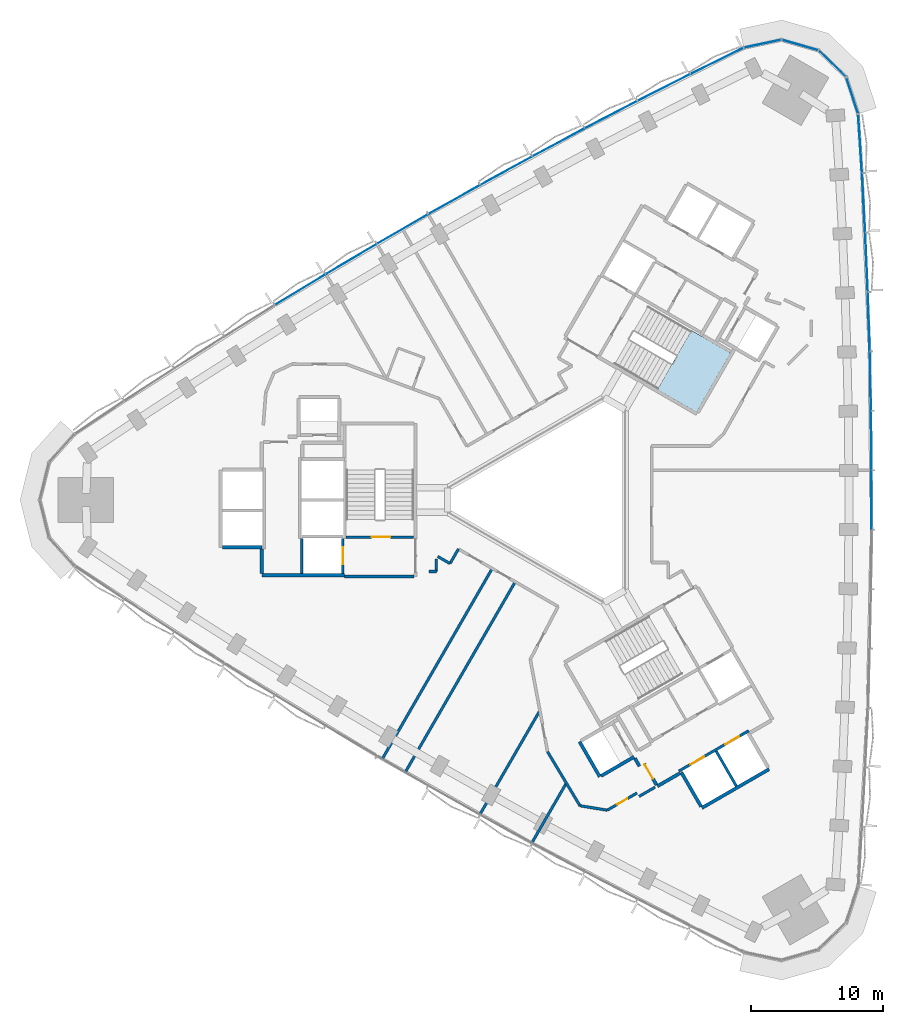
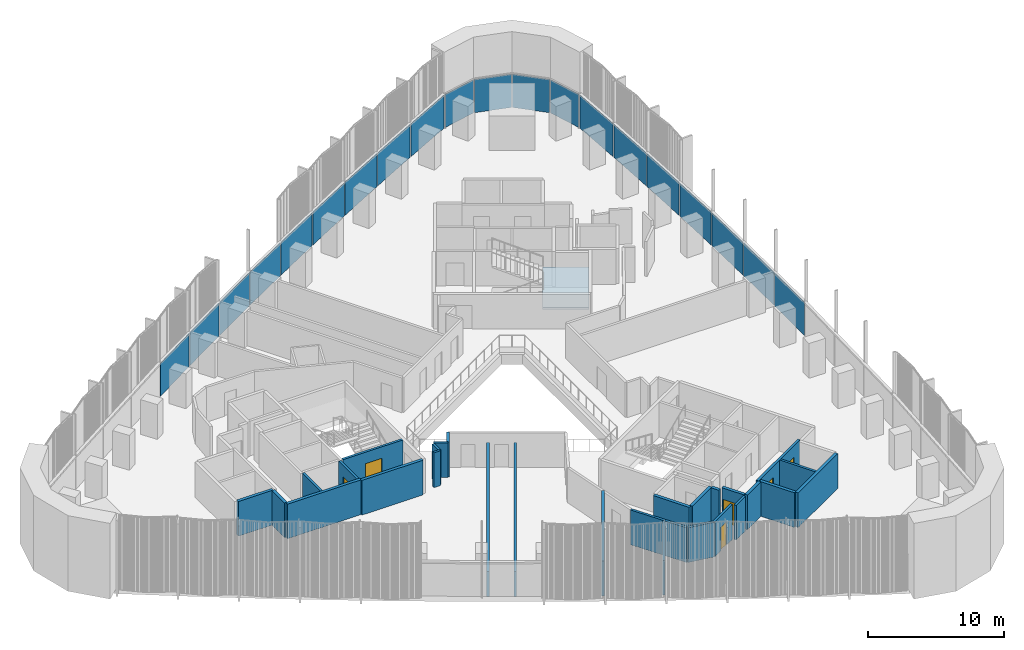
# One storey, part 7 of 15: 28 walls, 20 plates, 6 doors, 1 slab, 6 openings, 3 elements without a shape of their own.
"""IFC4 building model written with IfcOpenShell, lengths in metres."""

from ifc_helpers import new_model, si_unit, direction, frame, frame_2d, origin, origin_2d, place, context, subcontext, project, spatial, polyline, rectangle, outline, extrude, material, layer, layer_set, type_object, element, fill, aggregate, save


model = new_model("IFC4")

# Units and contexts
model_context = context("Model", 3, precision=1e-05, world=origin(), true_north=direction((0.0, 1.0)))
body_context = subcontext(model_context, "Body", "Model", "MODEL_VIEW")
ifc_project = project(units=[si_unit("LENGTHUNIT", "METRE"), si_unit("AREAUNIT", "SQUARE_METRE"), si_unit("VOLUMEUNIT", "CUBIC_METRE"), si_unit("PLANEANGLEUNIT", "RADIAN"), si_unit("MASSUNIT", "GRAM", prefix="KILO")], contexts=[model_context])

# Site, building, storey
site_placement = place(None, origin())
site = spatial("IfcSite", under=ifc_project, at=site_placement, CompositionType="ELEMENT")
building_placement = place(site_placement, origin())
building = spatial("IfcBuilding", under=site, at=building_placement, Name="Tamra Quay Hotel Tower", CompositionType="ELEMENT")
storey_placement = place(building_placement, frame((0.0, 0.0, 67.39990234375)))
storey = spatial("IfcBuildingStorey", under=building, at=storey_placement, Name="L15", CompositionType="ELEMENT", Elevation=67.39990234375)

# Stair, slab
ifc_material_1 = material(Name="Exit stair 2200 24 risers 150.0 going 342")
stair_type = type_object("IfcStairType", Name="Exit stair 2200 24 risers 150.0 going 342", PredefinedType="HALF_TURN_STAIR", material=ifc_material_1)
stair_placement = place(storey_placement, origin())
stair = element("IfcStair", 1, at=stair_placement, inside=storey, type_object=stair_type, Name="L15 Exit stair ST1", PredefinedType="HALF_TURN_STAIR")
ifc_material_2 = material(Name="Concrete M70", Category="concrete")
ifc_layer_1 = layer(ifc_material_2, 0.175048828125)
ifc_layer_set_1 = layer_set([ifc_layer_1], Name="Concrete M70 stair landing 180")
slab_type = type_object("IfcSlabType", Name="Concrete M70 stair landing 180", PredefinedType="LANDING", material=ifc_layer_set_1)
slab_placement = place(storey_placement, frame((0.0, 0.0, 1.625)))
slab = element("IfcSlab", 2, at=slab_placement, type_object=slab_type, Name="ST1 landing 1", PredefinedType="LANDING", context=body_context, shape_type="SweptSolid", body=[
    extrude(outline(polyline([(7.425048828125, 8.336669921875), (10.385009765625, 6.627685546875), (12.964599609375, 11.095458984375), (10.00439453125, 12.804443359375), (7.425048828125, 8.336669921875)])), origin(), (0.0, 0.0, 1.0), 0.175048828125),
])
aggregate(stair, [slab])

# Curtain wall, plates
ifc_material_3 = material(Name="Aluminium 6063 anodised dark grey", Category="aluminium")
curtain_wall_type_1 = type_object("IfcCurtainWallType", Name="CW1 CURTAIN WALL", PredefinedType="NOTDEFINED", material=ifc_material_3)
curtain_wall_1_placement = place(storey_placement, origin())
curtain_wall_1 = element("IfcCurtainWall", 3, at=curtain_wall_1_placement, inside=storey, type_object=curtain_wall_type_1, Name="CW1 east face L15", PredefinedType="NOTDEFINED")
ifc_material_4 = material(Name="Glass clear laminated low-iron", Category="glass")
ifc_layer_2 = layer(ifc_material_4, 0.035888671875)
ifc_layer_set_2 = layer_set([ifc_layer_2], Name="GLASS PANEL CW1 Z1")
plate_type_1 = type_object("IfcPlateType", Name="GLASS PANEL CW1 Z1", PredefinedType="CURTAIN_PANEL", material=ifc_layer_set_2)
plate_1_placement = place(storey_placement, frame((23.618408203125, 0.0, 0.0), z_axis=(0.0, 0.0, 1.0), x_axis=(0.0, 1.0, 0.0)))
plate_1 = element("IfcPlate", 4, at=plate_1_placement, type_object=plate_type_1, Name="CW1 glass L15.E.7", PredefinedType="CURTAIN_PANEL", context=body_context, shape_type="SweptSolid", body=[
    extrude(rectangle(XDim=4.388671875, YDim=0.035888671875, at=origin_2d()), origin(), (0.0, 0.0, 1.0), 2.985107421875),
])
plate_2_placement = place(storey_placement, frame((23.593994140625, 4.488525390625, 0.0), z_axis=(0.0, 0.0, 1.0), x_axis=(-0.010836354168, 0.99994128499, 0.0)))
plate_2 = element("IfcPlate", 5, at=plate_2_placement, type_object=plate_type_1, Name="CW1 glass L15.E.8", PredefinedType="CURTAIN_PANEL", context=body_context, shape_type="SweptSolid", body=[
    extrude(rectangle(XDim=4.388671875, YDim=0.035888671875, at=origin_2d()), origin(), (0.0, 0.0, 1.0), 2.985107421875),
])
plate_3_placement = place(storey_placement, frame((23.52099609375, 8.97705078125, 0.0), z_axis=(0.0, 0.0, 1.0), x_axis=(-0.021657653853, 0.999765445507, 0.0)))
plate_3 = element("IfcPlate", 6, at=plate_3_placement, type_object=plate_type_1, Name="CW1 glass L15.E.9", PredefinedType="CURTAIN_PANEL", context=body_context, shape_type="SweptSolid", body=[
    extrude(rectangle(XDim=4.3896484375, YDim=0.035888671875, at=origin_2d()), origin(), (0.0, 0.0, 1.0), 2.985107421875),
])
plate_4_placement = place(storey_placement, frame((23.399658203125, 13.464599609375, 0.0), z_axis=(0.0, 0.0, 1.0), x_axis=(-0.032474671117, 0.999472558771, 0.0)))
plate_4 = element("IfcPlate", 7, at=plate_4_placement, type_object=plate_type_1, Name="CW1 glass L15.E.10", PredefinedType="CURTAIN_PANEL", context=body_context, shape_type="SweptSolid", body=[
    extrude(rectangle(XDim=4.388671875, YDim=0.035888671875, at=origin_2d()), origin(), (0.0, 0.0, 1.0), 2.985107421875),
])
plate_5_placement = place(storey_placement, frame((23.2294921875, 17.949951171875, 0.0), z_axis=(0.0, 0.0, 1.0), x_axis=(-0.04328585604, 0.999062728094, 0.0)))
plate_5 = element("IfcPlate", 8, at=plate_5_placement, type_object=plate_type_1, Name="CW1 glass L15.E.11", PredefinedType="CURTAIN_PANEL", context=body_context, shape_type="SweptSolid", body=[
    extrude(rectangle(XDim=4.388671875, YDim=0.035888671875, at=origin_2d()), origin(), (0.0, 0.0, 1.0), 2.985107421875),
])
plate_6_placement = place(storey_placement, frame((23.010986328125, 22.433837890625, 0.0), z_axis=(0.0, 0.0, 1.0), x_axis=(-0.054062166947, 0.998537571704, 0.0)))
plate_6 = element("IfcPlate", 9, at=plate_6_placement, type_object=plate_type_1, Name="CW1 glass L15.E.12", PredefinedType="CURTAIN_PANEL", context=body_context, shape_type="SweptSolid", body=[
    extrude(rectangle(XDim=4.3896484375, YDim=0.035888671875, at=origin_2d()), origin(), (0.0, 0.0, 1.0), 2.985107421875),
])
plate_7_placement = place(storey_placement, frame((22.744140625, 26.914794921875, 0.0), z_axis=(0.0, 0.0, 1.0), x_axis=(-0.064813190551, 0.997897414733, 0.0)))
plate_7 = element("IfcPlate", 10, at=plate_7_placement, type_object=plate_type_1, Name="CW1 glass L15.E.13", PredefinedType="CURTAIN_PANEL", context=body_context, shape_type="SweptSolid", body=[
    extrude(rectangle(XDim=4.38818359375, YDim=0.035888671875, at=origin_2d()), origin(), (0.0, 0.0, 1.0), 2.985107421875),
])
plate_8_placement = place(storey_placement, frame((22.1484375, 30.5400390625, 0.0), z_axis=(0.0, 0.0, 1.0), x_axis=(-0.309040551826, 0.951048861693, 0.0)))
plate_8 = element("IfcPlate", 11, at=plate_8_placement, type_object=plate_type_1, Name="CW1 glass L15.E.14", PredefinedType="CURTAIN_PANEL", context=body_context, shape_type="SweptSolid", body=[
    extrude(rectangle(XDim=2.814697265625, YDim=0.035888671875, at=origin_2d()), origin(), (0.0, 0.0, 1.0), 2.985107421875),
])
plate_9_placement = place(storey_placement, frame((20.649658203125, 32.9384765625, 0.0), z_axis=(0.0, 0.0, 1.0), x_axis=(-0.719345535851, 0.694652431113, 0.0)))
plate_9 = element("IfcPlate", 12, at=plate_9_placement, type_object=plate_type_1, Name="CW1 glass L15.E.15", PredefinedType="CURTAIN_PANEL", context=body_context, shape_type="SweptSolid", body=[
    extrude(rectangle(XDim=2.814697265625, YDim=0.035888671875, at=origin_2d()), origin(), (0.0, 0.0, 1.0), 2.985107421875),
])
plate_10_placement = place(storey_placement, frame((18.20068359375, 34.352294921875, 0.0), z_axis=(0.0, 0.0, 1.0), x_axis=(-0.96125942007, 0.275645292589, 0.0)))
plate_10 = element("IfcPlate", 13, at=plate_10_placement, type_object=plate_type_1, Name="CW1 glass L15.E.16", PredefinedType="CURTAIN_PANEL", context=body_context, shape_type="SweptSolid", body=[
    extrude(rectangle(XDim=2.814697265625, YDim=0.035888671875, at=origin_2d()), origin(), (0.0, 0.0, 1.0), 2.985107421875),
])
plate_11_placement = place(storey_placement, frame((15.374267578125, 34.451171875, 0.0), z_axis=(0.0, 0.0, 1.0), x_axis=(-0.978152750379, -0.207887462165, 0.0)))
plate_11 = element("IfcPlate", 14, at=plate_11_placement, type_object=plate_type_1, Name="CW1 glass L15.E.17", PredefinedType="CURTAIN_PANEL", context=body_context, shape_type="SweptSolid", body=[
    extrude(rectangle(XDim=2.814697265625, YDim=0.035888671875, at=origin_2d()), origin(), (0.0, 0.0, 1.0), 2.985107421875),
])
aggregate(curtain_wall_1, [plate_1, plate_2, plate_3, plate_4, plate_5, plate_6, plate_7, plate_8, plate_9, plate_10, plate_11])

curtain_wall_type_2 = type_object("IfcCurtainWallType", Name="CW2 CURTAIN WALL", PredefinedType="NOTDEFINED", material=ifc_material_3)
curtain_wall_2_placement = place(storey_placement, origin())
curtain_wall_2 = element("IfcCurtainWall", 15, at=curtain_wall_2_placement, inside=storey, type_object=curtain_wall_type_2, Name="CW2 north-west face L15", PredefinedType="NOTDEFINED")
ifc_layer_3 = layer(ifc_material_4, 0.035888671875)
ifc_layer_set_3 = layer_set([ifc_layer_3], Name="GLASS PANEL CW2 Z1")
plate_type_2 = type_object("IfcPlateType", Name="GLASS PANEL CW2 Z1", PredefinedType="CURTAIN_PANEL", material=ifc_layer_set_3)
plate_12_placement = place(storey_placement, frame((11.936767578125, 33.154541015625, 0.0), z_axis=(0.0, 0.0, 1.0), x_axis=(-0.896611106805, -0.442818837849, 0.0)))
plate_12 = element("IfcPlate", 16, at=plate_12_placement, type_object=plate_type_2, Name="CW2 glass L15.NW.1", PredefinedType="CURTAIN_PANEL", context=body_context, shape_type="SweptSolid", body=[
    extrude(rectangle(XDim=4.38818359375, YDim=0.035888671875, at=origin_2d()), origin(), (0.0, 0.0, 1.0), 2.985107421875),
])
plate_13_placement = place(storey_placement, frame((7.9228515625, 31.14501953125, 0.0), z_axis=(0.0, 0.0, 1.0), x_axis=(-0.891789987202, -0.452449575893, 0.0)))
plate_13 = element("IfcPlate", 17, at=plate_13_placement, type_object=plate_type_2, Name="CW2 glass L15.NW.2", PredefinedType="CURTAIN_PANEL", context=body_context, shape_type="SweptSolid", body=[
    extrude(rectangle(XDim=4.3896484375, YDim=0.035888671875, at=origin_2d()), origin(), (0.0, 0.0, 1.0), 2.985107421875),
])
plate_14_placement = place(storey_placement, frame((3.930419921875, 29.09228515625, 0.0), z_axis=(0.0, 0.0, 1.0), x_axis=(-0.886856630524, -0.462044713092, 0.0)))
plate_14 = element("IfcPlate", 18, at=plate_14_placement, type_object=plate_type_2, Name="CW2 glass L15.NW.3", PredefinedType="CURTAIN_PANEL", context=body_context, shape_type="SweptSolid", body=[
    extrude(rectangle(XDim=4.388671875, YDim=0.035888671875, at=origin_2d()), origin(), (0.0, 0.0, 1.0), 2.985107421875),
])
plate_15_placement = place(storey_placement, frame((-0.0390625, 26.996826171875, 0.0), z_axis=(0.0, 0.0, 1.0), x_axis=(-0.88180596184, -0.471612389218, 0.0)))
plate_15 = element("IfcPlate", 19, at=plate_15_placement, type_object=plate_type_2, Name="CW2 glass L15.NW.4", PredefinedType="CURTAIN_PANEL", context=body_context, shape_type="SweptSolid", body=[
    extrude(rectangle(XDim=4.388671875, YDim=0.035888671875, at=origin_2d()), origin(), (0.0, 0.0, 1.0), 2.985107421875),
])
plate_16_placement = place(storey_placement, frame((-3.986083984375, 24.8583984375, 0.0), z_axis=(0.0, 0.0, 1.0), x_axis=(-0.876651100562, -0.48112664433, 0.0)))
plate_16 = element("IfcPlate", 20, at=plate_16_placement, type_object=plate_type_2, Name="CW2 glass L15.NW.5", PredefinedType="CURTAIN_PANEL", context=body_context, shape_type="SweptSolid", body=[
    extrude(rectangle(XDim=4.3896484375, YDim=0.035888671875, at=origin_2d()), origin(), (0.0, 0.0, 1.0), 2.985107421875),
])
plate_17_placement = place(storey_placement, frame((-7.90966796875, 22.67724609375, 0.0), z_axis=(0.0, 0.0, 1.0), x_axis=(-0.871392732178, -0.490586084502, 0.0)))
plate_17 = element("IfcPlate", 21, at=plate_17_placement, type_object=plate_type_2, Name="CW2 glass L15.NW.6", PredefinedType="CURTAIN_PANEL", context=body_context, shape_type="SweptSolid", body=[
    extrude(rectangle(XDim=4.388671875, YDim=0.035888671875, at=origin_2d()), origin(), (0.0, 0.0, 1.0), 2.985107421875),
])
plate_18_placement = place(storey_placement, frame((-11.80908203125, 20.4541015625, 0.0), z_axis=(0.0, 0.0, 1.0), x_axis=(-0.866025403784, -0.5, 0.0)))
plate_18 = element("IfcPlate", 22, at=plate_18_placement, type_object=plate_type_2, Name="CW2 glass L15.NW.7", PredefinedType="CURTAIN_PANEL", context=body_context, shape_type="SweptSolid", body=[
    extrude(rectangle(XDim=4.388671875, YDim=0.035888671875, at=origin_2d()), origin(), (0.0, 0.0, 1.0), 2.985107421875),
])
plate_19_placement = place(storey_placement, frame((-15.684326171875, 18.188720703125, 0.0), z_axis=(0.0, 0.0, 1.0), x_axis=(-0.860556378011, -0.509355200489, 0.0)))
plate_19 = element("IfcPlate", 23, at=plate_19_placement, type_object=plate_type_2, Name="CW2 glass L15.NW.8", PredefinedType="CURTAIN_PANEL", context=body_context, shape_type="SweptSolid", body=[
    extrude(rectangle(XDim=4.388671875, YDim=0.035888671875, at=origin_2d()), origin(), (0.0, 0.0, 1.0), 2.985107421875),
])
plate_20_placement = place(storey_placement, frame((-19.534912109375, 15.88134765625, 0.0), z_axis=(0.0, 0.0, 1.0), x_axis=(-0.854993446708, -0.518638801177, 0.0)))
plate_20 = element("IfcPlate", 24, at=plate_20_placement, type_object=plate_type_2, Name="CW2 glass L15.NW.9", PredefinedType="CURTAIN_PANEL", context=body_context, shape_type="SweptSolid", body=[
    extrude(rectangle(XDim=4.3896484375, YDim=0.035888671875, at=origin_2d()), origin(), (0.0, 0.0, 1.0), 2.985107421875),
])
aggregate(curtain_wall_2, [plate_12, plate_13, plate_14, plate_15, plate_16, plate_17, plate_18, plate_19, plate_20])

# Wall, opening, door
ifc_layer_4 = layer(ifc_material_2, 0.199951171875)
ifc_layer_set_4 = layer_set([ifc_layer_4], Name="Concrete M70 core wall 200")
wall_type_1 = type_object("IfcWallType", Name="Concrete M70 core wall 200", PredefinedType="SHEAR", material=ifc_layer_set_4)
wall_1_placement = place(storey_placement, frame((-10.96337890625, -2.800048828125, 0.0), z_axis=(0.0, 0.0, 1.0), x_axis=(-1.0, 0.0, 0.0)))
wall_1 = element("IfcWall", 25, at=wall_1_placement, inside=storey, type_object=wall_type_1, Name="CW2", PredefinedType="SHEAR", context=body_context, shape_type="SweptSolid", body=[
    extrude(rectangle(XDim=5.097900390625, YDim=0.199951171875, at=frame_2d((2.548828125, 0.0))), origin(), (0.0, 0.0, 1.0), 3.125),
])
opening_1_placement = place(wall_1_placement, frame((1.77392578125, 0.0, 0.0)))
opening_1 = element("IfcOpeningElement", 26, at=opening_1_placement, cuts=wall_1, Name="Opening FD2", PredefinedType="OPENING", context=body_context, shape_type="SweptSolid", body=[
    extrude(rectangle(XDim=1.39990234375, YDim=2.10009765625, at=frame_2d((0.699951171875, 1.050048828125))), frame((0.0, 0.10986328125, 0.0), z_axis=(0.0, -1.0, 0.0), x_axis=(1.0, 0.0, 0.0)), (0.0, 0.0, 1.0), 0.219970703125),
])
ifc_material_5 = material(Name="Core door FD2 1400x2100 LH")
door_type_1 = type_object("IfcDoorType", Name="Core door FD2 1400x2100 LH", OperationType="NOTDEFINED", PredefinedType="DOOR", material=ifc_material_5)
door_1_placement = place(opening_1_placement, origin())
door_1 = element("IfcDoor", 27, at=door_1_placement, inside=storey, type_object=door_type_1, Name="FD2", OperationType="SINGLE_SWING_LEFT", OverallHeight=2.10009765625, OverallWidth=1.39990234375, PredefinedType="DOOR", context=body_context, shape_type="SweptSolid", body=[
    extrude(rectangle(XDim=1.39990234375, YDim=2.10009765625, at=frame_2d((0.699951171875, 1.050048828125))), frame((0.0, 0.02490234375, 0.0), z_axis=(0.0, -1.0, 0.0), x_axis=(1.0, 0.0, 0.0)), (0.0, 0.0, 1.0), 0.050048828125),
])
fill(opening_1, door_1)

wall_2_placement = place(storey_placement, frame((-16.312255859375, -2.898193359375, 0.0), z_axis=(0.0, 0.0, 1.0), x_axis=(0.0, -1.0, 0.0)))
wall_2 = element("IfcWall", 28, at=wall_2_placement, inside=storey, type_object=wall_type_1, Name="CW2", PredefinedType="SHEAR", context=body_context, shape_type="SweptSolid", body=[
    extrude(rectangle(XDim=2.65087890625, YDim=0.199951171875, at=frame_2d((1.325439453125, 0.0))), origin(), (0.0, 0.0, 1.0), 3.125),
])
opening_2_placement = place(wall_2_placement, frame((0.65185546875, 0.0, 0.0)))
opening_2 = element("IfcOpeningElement", 29, at=opening_2_placement, cuts=wall_2, Name="Opening LD", PredefinedType="OPENING", context=body_context, shape_type="SweptSolid", body=[
    extrude(rectangle(XDim=1.300048828125, YDim=2.10009765625, at=frame_2d((0.64990234375, 1.050048828125))), frame((0.0, 0.10986328125, 0.0), z_axis=(0.0, -1.0, 0.0), x_axis=(1.0, 0.0, 0.0)), (0.0, 0.0, 1.0), 0.219970703125),
])
ifc_material_6 = material(Name="Landing door LD 1300 sliding to left")
door_type_2 = type_object("IfcDoorType", Name="Landing door LD 1300 sliding to left", OperationType="NOTDEFINED", PredefinedType="DOOR", material=ifc_material_6)
door_2_placement = place(opening_2_placement, origin())
door_2 = element("IfcDoor", 30, at=door_2_placement, inside=storey, type_object=door_type_2, Name="LD", OperationType="SLIDING_TO_LEFT", OverallHeight=2.10009765625, OverallWidth=1.300048828125, PredefinedType="DOOR", context=body_context, shape_type="SweptSolid", body=[
    extrude(rectangle(XDim=1.300048828125, YDim=2.10009765625, at=frame_2d((0.64990234375, 1.050048828125))), frame((0.0, 0.02490234375, 0.0), z_axis=(0.0, -1.0, 0.0), x_axis=(1.0, 0.0, 0.0)), (0.0, 0.0, 1.0), 0.050048828125),
])
fill(opening_2, door_2)

# Wall
wall_3_placement = place(storey_placement, frame((-19.412353515625, -5.549072265625, 0.0), z_axis=(0.0, 0.0, 1.0), x_axis=(0.0, 1.0, 0.0)))
element("IfcWall", 31, at=wall_3_placement, inside=storey, type_object=wall_type_1, Name="CW2", PredefinedType="SHEAR", context=body_context, shape_type="SweptSolid", body=[
    extrude(rectangle(XDim=2.65087890625, YDim=0.199951171875, at=frame_2d((1.325439453125, 0.0))), origin(), (0.0, 0.0, 1.0), 3.125),
])

# Wall, openings, doors
wall_4_placement = place(storey_placement, frame((9.052490234375, -20.479736328125, 0.0), z_axis=(0.0, 0.0, 1.0), x_axis=(0.866030299012, 0.499991521122, 0.0)))
wall_4 = element("IfcWall", 32, at=wall_4_placement, inside=storey, type_object=wall_type_1, Name="CW2", PredefinedType="SHEAR", context=body_context, shape_type="SweptSolid", body=[
    extrude(rectangle(XDim=6.10009765625, YDim=0.199951171875, at=frame_2d((3.050048828125, 0.0))), origin(), (0.0, 0.0, 1.0), 3.125),
])
opening_3_placement = place(wall_4_placement, frame((1.0, 0.0, 0.0)))
opening_3 = element("IfcOpeningElement", 33, at=opening_3_placement, cuts=wall_4, Name="Opening LD", PredefinedType="OPENING", context=body_context, shape_type="SweptSolid", body=[
    extrude(rectangle(XDim=1.199951171875, YDim=2.10009765625, at=frame_2d((0.60009765625, 1.050048828125))), frame((0.0, 0.10986328125, 0.0), z_axis=(0.0, -1.0, 0.0), x_axis=(1.0, 0.0, 0.0)), (0.0, 0.0, 1.0), 0.219970703125),
])
opening_4_placement = place(wall_4_placement, frame((4.05029296875, 0.0, 0.0)))
opening_4 = element("IfcOpeningElement", 34, at=opening_4_placement, cuts=wall_4, Name="Opening LD", PredefinedType="OPENING", context=body_context, shape_type="SweptSolid", body=[
    extrude(rectangle(XDim=1.199951171875, YDim=2.10009765625, at=frame_2d((0.60009765625, 1.050048828125))), frame((0.0, 0.10986328125, 0.0), z_axis=(0.0, -1.0, 0.0), x_axis=(1.0, 0.0, 0.0)), (0.0, 0.0, 1.0), 0.219970703125),
])
ifc_material_7 = material(Name="Landing door LD 1200 double door sliding")
door_type_3 = type_object("IfcDoorType", Name="Landing door LD 1200 double door sliding", OperationType="DOUBLE_DOOR_SLIDING", PredefinedType="DOOR", material=ifc_material_7)
door_3_placement = place(opening_3_placement, origin())
door_3 = element("IfcDoor", 35, at=door_3_placement, inside=storey, type_object=door_type_3, Name="LD", OperationType="DOUBLE_DOOR_SLIDING", OverallHeight=2.10009765625, OverallWidth=1.199951171875, PredefinedType="DOOR", context=body_context, shape_type="SweptSolid", body=[
    extrude(rectangle(XDim=1.199951171875, YDim=2.10009765625, at=frame_2d((0.60009765625, 1.050048828125))), frame((0.0, 0.02490234375, 0.0), z_axis=(0.0, -1.0, 0.0), x_axis=(1.0, 0.0, 0.0)), (0.0, 0.0, 1.0), 0.050048828125),
])
fill(opening_3, door_3)
door_4_placement = place(opening_4_placement, origin())
door_4 = element("IfcDoor", 36, at=door_4_placement, inside=storey, type_object=door_type_3, Name="LD", OperationType="DOUBLE_DOOR_SLIDING", OverallHeight=2.10009765625, OverallWidth=1.199951171875, PredefinedType="DOOR", context=body_context, shape_type="SweptSolid", body=[
    extrude(rectangle(XDim=1.199951171875, YDim=2.10009765625, at=frame_2d((0.60009765625, 1.050048828125))), frame((0.0, 0.02490234375, 0.0), z_axis=(0.0, -1.0, 0.0), x_axis=(1.0, 0.0, 0.0)), (0.0, 0.0, 1.0), 0.050048828125),
])
fill(opening_4, door_4)

# Walls
wall_5_placement = place(storey_placement, frame((11.87451171875, -18.967041015625, 0.0), z_axis=(0.0, 0.0, 1.0), x_axis=(0.49998131003, -0.866036194175, 0.0)))
element("IfcWall", 37, at=wall_5_placement, inside=storey, type_object=wall_type_1, Name="CW2", PredefinedType="SHEAR", context=body_context, shape_type="SweptSolid", body=[
    extrude(rectangle(XDim=3.0478515625, YDim=0.199951171875, at=frame_2d((1.52392578125, 0.0))), origin(), (0.0, 0.0, 1.0), 3.125),
])
ifc_layer_5 = layer(ifc_material_2, 0.25)
ifc_layer_set_5 = layer_set([ifc_layer_5], Name="Concrete M70 core wall 250")
wall_type_2 = type_object("IfcWallType", Name="Concrete M70 core wall 250", PredefinedType="SHEAR", material=ifc_layer_set_5)
wall_6_placement = place(storey_placement, frame((-16.187255859375, -5.675048828125, 0.0), z_axis=(0.0, 0.0, 1.0), x_axis=(-1.0, 0.0, 0.0)))
element("IfcWall", 38, at=wall_6_placement, inside=storey, type_object=wall_type_2, Name="CW1", PredefinedType="SHEAR", context=body_context, shape_type="SweptSolid", body=[
    extrude(rectangle(XDim=6.25, YDim=0.25, at=frame_2d((3.125, 0.0))), origin(), (0.0, 0.0, 1.0), 3.125),
])
wall_7_placement = place(storey_placement, frame((-10.962646484375, -5.77490234375, 0.0), z_axis=(0.0, 0.0, 1.0), x_axis=(-1.0, 0.0, 0.0)))
element("IfcWall", 39, at=wall_7_placement, inside=storey, type_object=wall_type_2, Name="CW1", PredefinedType="SHEAR", context=body_context, shape_type="SweptSolid", body=[
    extrude(rectangle(XDim=5.224609375, YDim=0.25, at=frame_2d((2.6123046875, 0.0))), origin(), (0.0, 0.0, 1.0), 3.125),
])
wall_8_placement = place(storey_placement, frame((-22.437255859375, -3.574951171875, 0.0), z_axis=(0.0, 0.0, 1.0), x_axis=(-1.0, 0.0, 0.0)))
element("IfcWall", 40, at=wall_8_placement, inside=storey, type_object=wall_type_2, Name="CW1", PredefinedType="SHEAR", context=body_context, shape_type="SweptSolid", body=[
    extrude(rectangle(XDim=2.974609375, YDim=0.25, at=frame_2d((1.4873046875, 0.0))), origin(), (0.0, 0.0, 1.0), 3.125),
])
wall_9_placement = place(storey_placement, frame((-22.437255859375, -5.549560546875, 0.0), z_axis=(0.0, 0.0, 1.0), x_axis=(0.0, 1.0, 0.0)))
element("IfcWall", 41, at=wall_9_placement, inside=storey, type_object=wall_type_2, Name="CW1", PredefinedType="SHEAR", context=body_context, shape_type="SweptSolid", body=[
    extrude(rectangle(XDim=1.84912109375, YDim=0.25, at=frame_2d((0.924560546875, 0.0))), origin(), (0.0, 0.0, 1.0), 3.125),
])
wall_10_placement = place(storey_placement, frame((15.86474609375, -20.328369140625, 0.0), z_axis=(0.0, 0.0, 1.0), x_axis=(-0.86602852612, -0.499994591916, 0.0)))
element("IfcWall", 42, at=wall_10_placement, inside=storey, type_object=wall_type_2, Name="CW1", PredefinedType="SHEAR", context=body_context, shape_type="SweptSolid", body=[
    extrude(rectangle(XDim=5.85009765625, YDim=0.25, at=frame_2d((2.925048828125, 0.0))), origin(), (0.0, 0.0, 1.0), 3.125),
])
wall_11_placement = place(storey_placement, frame((10.73583984375, -23.144775390625, 0.0), z_axis=(0.0, 0.0, 1.0), x_axis=(-0.500023226632, 0.866011993467, 0.0)))
element("IfcWall", 43, at=wall_11_placement, inside=storey, type_object=wall_type_2, Name="CW1", PredefinedType="SHEAR", context=body_context, shape_type="SweptSolid", body=[
    extrude(rectangle(XDim=2.974365234375, YDim=0.25, at=frame_2d((1.4873046875, 0.0))), origin(), (0.0, 0.0, 1.0), 3.125),
])
wall_12_placement = place(storey_placement, frame((3.085205078125, -20.893798828125, 0.0), z_axis=(0.0, 0.0, 1.0), x_axis=(-0.499978833458, 0.866037623948, 0.0)))
element("IfcWall", 44, at=wall_12_placement, inside=storey, type_object=wall_type_2, Name="CW1", PredefinedType="SHEAR", context=body_context, shape_type="SweptSolid", body=[
    extrude(rectangle(XDim=3.050048828125, YDim=0.25, at=frame_2d((1.52490234375, 0.0))), origin(), (0.0, 0.0, 1.0), 3.125),
])
wall_13_placement = place(storey_placement, frame((5.6748046875, -19.39892578125, 0.0), z_axis=(0.0, 0.0, 1.0), x_axis=(-0.866026637627, -0.499997862916, 0.0)))
element("IfcWall", 45, at=wall_13_placement, inside=storey, type_object=wall_type_2, Name="CW1", PredefinedType="SHEAR", context=body_context, shape_type="SweptSolid", body=[
    extrude(rectangle(XDim=2.86474609375, YDim=0.25, at=frame_2d((1.432373046875, 0.0))), origin(), (0.0, 0.0, 1.0), 3.125),
])
wall_14_placement = place(storey_placement, frame((9.139892578125, -20.63134765625, 0.0), z_axis=(0.0, 0.0, 1.0), x_axis=(-0.866043531843, -0.499968599967, 0.0)))
element("IfcWall", 46, at=wall_14_placement, inside=storey, type_object=wall_type_2, Name="CW1", PredefinedType="SHEAR", context=body_context, shape_type="SweptSolid", body=[
    extrude(rectangle(XDim=1.974853515625, YDim=0.25, at=frame_2d((0.9873046875, 0.0))), origin(), (0.0, 0.0, 1.0), 3.125),
])

# Wall, opening, door
wall_15_placement = place(storey_placement, frame((7.3671875, -21.51025390625, 0.0), z_axis=(0.0, 0.0, 1.0), x_axis=(-0.499983108224, 0.866035156036, 0.0)))
wall_15 = element("IfcWall", 47, at=wall_15_placement, inside=storey, type_object=wall_type_2, Name="CW1", PredefinedType="SHEAR", context=body_context, shape_type="SweptSolid", body=[
    extrude(rectangle(XDim=1.86474609375, YDim=0.25, at=frame_2d((0.932373046875, 0.0))), origin(), (0.0, 0.0, 1.0), 3.125),
])
opening_5_placement = place(wall_15_placement, frame((0.53466796875, 0.0, 0.0)))
opening_5 = element("IfcOpeningElement", 48, at=opening_5_placement, cuts=wall_15, Name="Opening FD3", PredefinedType="OPENING", context=body_context, shape_type="SweptSolid", body=[
    extrude(rectangle(XDim=1.25, YDim=2.10009765625, at=frame_2d((0.625, 1.050048828125))), frame((0.0, 0.135009765625, 0.0), z_axis=(0.0, -1.0, 0.0), x_axis=(1.0, 0.0, 0.0)), (0.0, 0.0, 1.0), 0.27001953125),
])
ifc_material_8 = material(Name="Core door FD3 1250x2100 LH")
door_type_4 = type_object("IfcDoorType", Name="Core door FD3 1250x2100 LH", OperationType="NOTDEFINED", PredefinedType="DOOR", material=ifc_material_8)
door_5_placement = place(opening_5_placement, origin())
door_5 = element("IfcDoor", 49, at=door_5_placement, inside=storey, type_object=door_type_4, Name="FD3", OperationType="SINGLE_SWING_LEFT", OverallHeight=2.10009765625, OverallWidth=1.25, PredefinedType="DOOR", context=body_context, shape_type="SweptSolid", body=[
    extrude(rectangle(XDim=1.25, YDim=2.10009765625, at=frame_2d((0.625, 1.050048828125))), frame((0.0, 0.02490234375, 0.0), z_axis=(0.0, -1.0, 0.0), x_axis=(1.0, 0.0, 0.0)), (0.0, 0.0, 1.0), 0.050048828125),
])
fill(opening_5, door_5)

# Walls
wall_16_placement = place(storey_placement, frame((6.07958984375, -20.100341796875, 0.0), z_axis=(0.0, 0.0, 1.0), x_axis=(-0.500051773299, 0.865995510393, 0.0)))
element("IfcWall", 50, at=wall_16_placement, inside=storey, type_object=wall_type_2, Name="CW1", PredefinedType="SHEAR", context=body_context, shape_type="SweptSolid", body=[
    extrude(rectangle(XDim=0.6845703125, YDim=0.25, at=frame_2d((0.34228515625, 0.0))), origin(), (0.0, 0.0, 1.0), 3.125),
])
ifc_material_9 = material(Name="Partition corridor wall")
ifc_layer_6 = layer(ifc_material_9, 0.199951171875)
ifc_layer_set_6 = layer_set([ifc_layer_6], Name="Partition corridor wall")
wall_type_3 = type_object("IfcWallType", Name="Partition corridor wall", PredefinedType="PARTITIONING", material=ifc_layer_set_6)
wall_17_placement = place(storey_placement, frame((-9.81005859375, -5.39990234375, 0.0), z_axis=(0.0, 0.0, 1.0), x_axis=(1.0, 0.0, 0.0)))
element("IfcWall", 51, at=wall_17_placement, inside=storey, type_object=wall_type_3, Name="W-C", PredefinedType="PARTITIONING", context=body_context, shape_type="SweptSolid", body=[
    extrude(rectangle(XDim=0.548095703125, YDim=0.199951171875, at=frame_2d((0.27392578125, 0.0))), origin(), (0.0, 0.0, 1.0), 3.125),
])
wall_18_placement = place(storey_placement, frame((-9.261962890625, -5.39990234375, 0.0), z_axis=(0.0, 0.0, 1.0), x_axis=(0.0, 1.0, 0.0)))
element("IfcWall", 52, at=wall_18_placement, inside=storey, type_object=wall_type_3, Name="W-C", PredefinedType="PARTITIONING", context=body_context, shape_type="SweptSolid", body=[
    extrude(rectangle(XDim=0.947998046875, YDim=0.199951171875, at=frame_2d((0.47412109375, 0.0))), origin(), (0.0, 0.0, 1.0), 3.125),
])
wall_19_placement = place(storey_placement, frame((-9.154052734375, -4.262939453125, 0.0), z_axis=(0.0, 0.0, 1.0), x_axis=(0.866223394354, -0.499656913366, 0.0)))
element("IfcWall", 53, at=wall_19_placement, inside=storey, type_object=wall_type_3, Name="W-C", PredefinedType="PARTITIONING", context=body_context, shape_type="SweptSolid", body=[
    extrude(rectangle(XDim=1.074951171875, YDim=0.199951171875, at=frame_2d((0.53759765625, 0.0))), origin(), (0.0, 0.0, 1.0), 3.125),
])
wall_20_placement = place(storey_placement, frame((-8.222900390625, -4.800048828125, 0.0), z_axis=(0.0, 0.0, 1.0), x_axis=(0.499866914522, 0.866102227088, 0.0)))
element("IfcWall", 54, at=wall_20_placement, inside=storey, type_object=wall_type_3, Name="W-C", PredefinedType="PARTITIONING", context=body_context, shape_type="SweptSolid", body=[
    extrude(rectangle(XDim=1.267822265625, YDim=0.199951171875, at=frame_2d((0.6337890625, 0.0))), origin(), (0.0, 0.0, 1.0), 3.125),
])
wall_21_placement = place(storey_placement, frame((-0.85791015625, -19.01708984375, 0.0), z_axis=(0.0, 0.0, 1.0), x_axis=(0.514647068805, -0.857402119528, 0.0)))
element("IfcWall", 55, at=wall_21_placement, inside=storey, type_object=wall_type_3, Name="W-C", PredefinedType="PARTITIONING", context=body_context, shape_type="SweptSolid", body=[
    extrude(rectangle(XDim=4.745361328125, YDim=0.199951171875, at=frame_2d((2.37255859375, 0.0))), origin(), (0.0, 0.0, 1.0), 3.125),
])
wall_22_placement = place(storey_placement, frame((1.583984375, -23.0859375, 0.0), z_axis=(0.0, 0.0, 1.0), x_axis=(0.986633159246, -0.162957077405, 0.0)))
element("IfcWall", 56, at=wall_22_placement, inside=storey, type_object=wall_type_3, Name="W-C", PredefinedType="PARTITIONING", context=body_context, shape_type="SweptSolid", body=[
    extrude(rectangle(XDim=2.0869140625, YDim=0.199951171875, at=frame_2d((1.04345703125, 0.0))), origin(), (0.0, 0.0, 1.0), 3.125),
])

# Wall, opening, door
wall_23_placement = place(storey_placement, frame((3.64306640625, -23.426025390625, 0.0), z_axis=(0.0, 0.0, 1.0), x_axis=(0.866654350985, 0.498909045738, 0.0)))
wall_23 = element("IfcWall", 57, at=wall_23_placement, inside=storey, type_object=wall_type_3, Name="W-C", PredefinedType="PARTITIONING", context=body_context, shape_type="SweptSolid", body=[
    extrude(rectangle(XDim=2.607666015625, YDim=0.199951171875, at=frame_2d((1.3037109375, 0.0))), origin(), (0.0, 0.0, 1.0), 3.125),
])
opening_6_placement = place(wall_23_placement, frame((0.85400390625, 0.0, 0.0)))
opening_6 = element("IfcOpeningElement", 58, at=opening_6_placement, cuts=wall_23, Name="Opening L15-D013", PredefinedType="OPENING", context=body_context, shape_type="SweptSolid", body=[
    extrude(rectangle(XDim=0.89990234375, YDim=2.10009765625, at=frame_2d((0.449951171875, 1.050048828125))), frame((0.0, 0.10986328125, 0.0), z_axis=(0.0, -1.0, 0.0), x_axis=(1.0, 0.0, 0.0)), (0.0, 0.0, 1.0), 0.219970703125),
])
ifc_material_10 = material(Name="Door service room 900x2100")
door_type_5 = type_object("IfcDoorType", Name="Door service room 900x2100", OperationType="NOTDEFINED", PredefinedType="DOOR", material=ifc_material_10)
door_6_placement = place(opening_6_placement, frame((0.89990234375, 0.0, 0.0), z_axis=(0.0, 0.0, 1.0), x_axis=(-1.0, 0.0, 0.0)))
door_6 = element("IfcDoor", 59, at=door_6_placement, inside=storey, type_object=door_type_5, Name="L15-D013", OperationType="SINGLE_SWING_LEFT", OverallHeight=2.10009765625, OverallWidth=0.89990234375, PredefinedType="DOOR", context=body_context, shape_type="SweptSolid", body=[
    extrude(rectangle(XDim=0.89990234375, YDim=2.10009765625, at=frame_2d((0.449951171875, 1.050048828125))), frame((0.0, 0.02490234375, 0.0), z_axis=(0.0, -1.0, 0.0), x_axis=(1.0, 0.0, 0.0)), (0.0, 0.0, 1.0), 0.050048828125),
])
fill(opening_6, door_6)

# Walls
wall_24_placement = place(storey_placement, frame((6.053955078125, -22.385009765625, 0.0), z_axis=(0.0, 0.0, 1.0), x_axis=(0.86593101922, 0.500163443238, 0.0)))
element("IfcWall", 60, at=wall_24_placement, inside=storey, type_object=wall_type_3, Name="W-C", PredefinedType="PARTITIONING", context=body_context, shape_type="SweptSolid", body=[
    extrude(rectangle(XDim=1.3896484375, YDim=0.199951171875, at=frame_2d((0.69482421875, 0.0))), origin(), (0.0, 0.0, 1.0), 3.125),
])
ifc_material_11 = material(Name="Partition party wall")
ifc_layer_7 = layer(ifc_material_11, 0.199951171875)
ifc_layer_set_7 = layer_set([ifc_layer_7], Name="Partition party wall")
wall_type_4 = type_object("IfcWallType", Name="Partition party wall", PredefinedType="PARTITIONING", material=ifc_layer_set_7)
wall_25_placement = place(storey_placement, frame((-13.343017578125, -19.562744140625, 0.0), z_axis=(0.0, 0.0, 1.0), x_axis=(0.499962458657, 0.866047077204, 0.0)))
element("IfcWall", 61, at=wall_25_placement, inside=storey, type_object=wall_type_4, Name="W-P", PredefinedType="PARTITIONING", context=body_context, shape_type="SweptSolid", body=[
    extrude(rectangle(XDim=16.613037109375, YDim=0.199951171875, at=frame_2d((8.306640625, 0.0))), origin(), (0.0, 0.0, 1.0), 2.22509765625),
])
wall_26_placement = place(storey_placement, frame((-11.607421875, -20.564697265625, 0.0), z_axis=(0.0, 0.0, 1.0), x_axis=(0.50002858825, 0.866008897721, 0.0)))
element("IfcWall", 62, at=wall_26_placement, inside=storey, type_object=wall_type_4, Name="W-P", PredefinedType="PARTITIONING", context=body_context, shape_type="SweptSolid", body=[
    extrude(rectangle(XDim=16.61376953125, YDim=0.199951171875, at=frame_2d((8.306884765625, 0.0))), origin(), (0.0, 0.0, 1.0), 2.22509765625),
])
wall_27_placement = place(storey_placement, frame((-5.97509765625, -23.7607421875, 0.0), z_axis=(0.0, 0.0, 1.0), x_axis=(0.499971746895, 0.866041715108, 0.0)))
element("IfcWall", 63, at=wall_27_placement, inside=storey, type_object=wall_type_4, Name="W-P", PredefinedType="PARTITIONING", context=body_context, shape_type="SweptSolid", body=[
    extrude(rectangle(XDim=9.07080078125, YDim=0.199951171875, at=frame_2d((4.535400390625, 0.0))), origin(), (0.0, 0.0, 1.0), 3.125),
])
wall_28_placement = place(storey_placement, frame((-2.056396484375, -25.911865234375, 0.0), z_axis=(0.0, 0.0, 1.0), x_axis=(0.499906852383, 0.866079175907, 0.0)))
element("IfcWall", 64, at=wall_28_placement, inside=storey, type_object=wall_type_4, Name="W-P", PredefinedType="PARTITIONING", context=body_context, shape_type="SweptSolid", body=[
    extrude(rectangle(XDim=5.23388671875, YDim=0.199951171875, at=frame_2d((2.616943359375, 0.0))), origin(), (0.0, 0.0, 1.0), 3.125),
])

save(model, "model.ifc")
